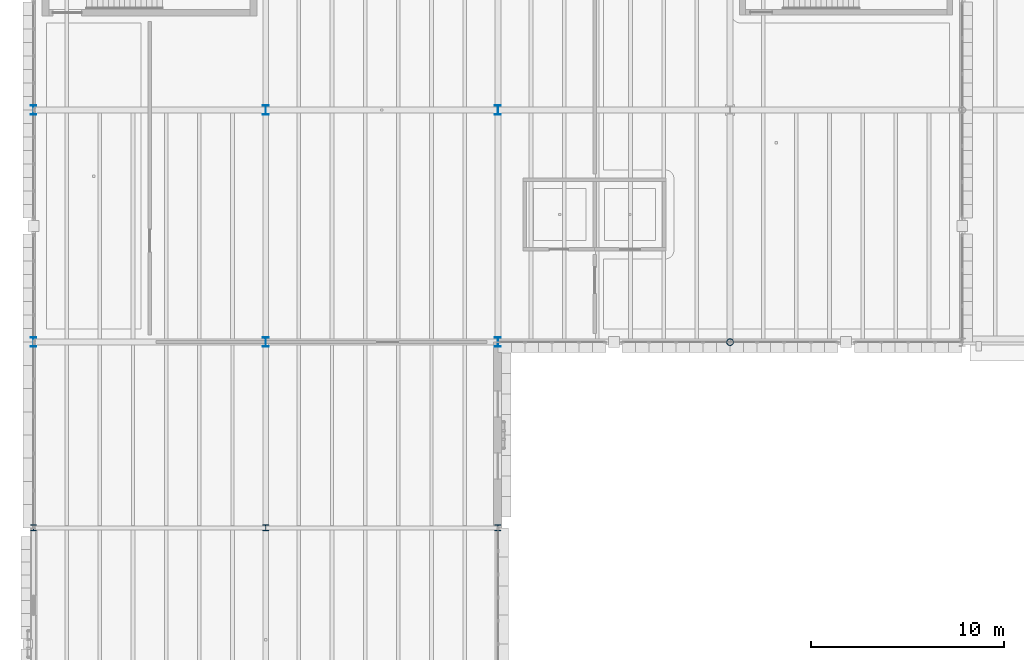
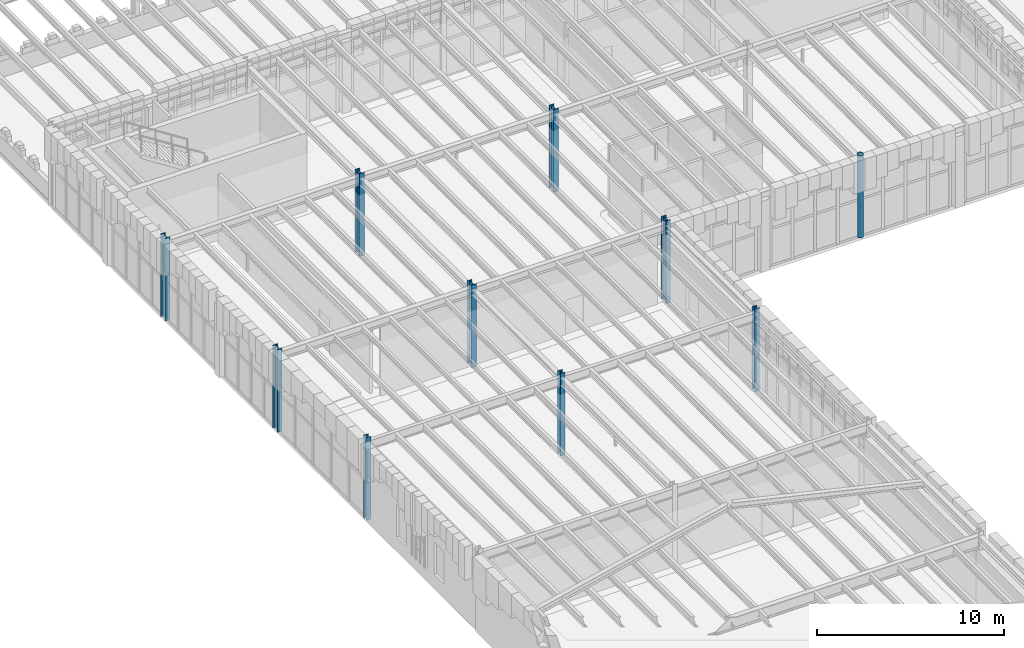
# One storey, part 4 of 100: 10 columns.
"""IFC4 building model written with IfcOpenShell, lengths in metres."""

from ifc_helpers import new_model, si_unit, direction, frame, origin, origin_2d, place, context, subcontext, project, spatial, hollow_circle, i_section, extrude, material, material_profile, profile_set, type_object, element, save


model = new_model("IFC4")

# Units and contexts
model_context = context("Model", 3, precision=1e-05, world=origin(), true_north=direction((0.0, 1.0)))
body_context = subcontext(model_context, "Body", "Model", "MODEL_VIEW")
ifc_project = project(units=[si_unit("LENGTHUNIT", "METRE"), si_unit("AREAUNIT", "SQUARE_METRE"), si_unit("VOLUMEUNIT", "CUBIC_METRE"), si_unit("PLANEANGLEUNIT", "RADIAN"), si_unit("MASSUNIT", "GRAM", prefix="KILO")], contexts=[model_context])

# Site, building, storey
site_placement = place(None, origin())
site = spatial("IfcSite", under=ifc_project, at=site_placement, CompositionType="ELEMENT")
building_placement = place(site_placement, origin())
building = spatial("IfcBuilding", under=site, at=building_placement, Name="Zlatogorsky Bluff Art Gallery", CompositionType="ELEMENT")
storey_placement = place(building_placement, frame((0.0, 0.0, 5.39990234375)))
storey = spatial("IfcBuildingStorey", under=building, at=storey_placement, Name="L01", CompositionType="ELEMENT", Elevation=5.39990234375)

# Columns
ifc_material = material(Name="Steel S355", Category="steel")
ifc_material_profile_1 = material_profile(ifc_material, i_section(OverallWidth=0.300048828125, OverallDepth=0.5, WebThickness=0.014404296875, FlangeThickness=0.028076171875, FilletRadius=0.027099609375, at=origin_2d()), Name="HEB 500")
ifc_profile_set_1 = profile_set([ifc_material_profile_1], Name="Steel S355")
column_type_1 = type_object("IfcColumnType", Name="Column CL-02 HEB 500", PredefinedType="COLUMN", material=ifc_profile_set_1)
for number, where, z_axis, x_axis, name in (
    (1, (0.0, 84.0, 0.0), (0.0, 0.0, 1.0), (1.0, 0.0, 0.0), "Column CL-02 L01 A9"),
    (2, (0.0, 96.0, 0.0), (0.0, 0.0, 1.0), (1.0, 0.0, 0.0), "Column CL-02 L01 A10"),
    (3, (12.0, 84.0, 0.0), (0.0, 0.0, 1.0), (1.0, 0.0, 0.0), "Column CL-02 L01 B9"),
    (4, (12.0, 96.0, 0.0), (0.0, 0.0, 1.0), (1.0, 0.0, 0.0), "Column CL-02 L01 B10"),
    (5, (24.0, 84.0, 0.0), (0.0, 0.0, 1.0), (1.0, 0.0, 0.0), "Column CL-02 L01 C9"),
    (6, (24.0, 96.0, 0.0), (0.0, 0.0, 1.0), (1.0, 0.0, 0.0), "Column CL-02 L01 C10"),
):
    element("IfcColumn", number, at=place(storey_placement, frame(where, z_axis=z_axis, x_axis=x_axis)), inside=storey, type_object=column_type_1, Name=name, PredefinedType="COLUMN", context=body_context, shape_type="SweptSolid", body=[
        extrude(i_section(OverallWidth=0.300048828125, OverallDepth=0.5, WebThickness=0.014404296875, FlangeThickness=0.028076171875, FilletRadius=0.027099609375, at=origin_2d()), origin(), (0.0, 0.0, 1.0), 5.400146484375),
    ])
ifc_material_profile_2 = material_profile(ifc_material, i_section(OverallWidth=0.300048828125, OverallDepth=0.300048828125, WebThickness=0.010986328125, FlangeThickness=0.01904296875, FilletRadius=0.027099609375, at=origin_2d()), Name="HEB 300")
ifc_profile_set_2 = profile_set([ifc_material_profile_2], Name="Steel S355")
column_type_2 = type_object("IfcColumnType", Name="Column CL-06 HEB 300", PredefinedType="COLUMN", material=ifc_profile_set_2)
for number, where, z_axis, x_axis, name in (
    (7, (0.0, 74.39990234375, 0.0), (0.0, 0.0, 1.0), (1.0, 0.0, 0.0), "Column CL-06 L01 A8"),
    (8, (12.0, 74.39990234375, 0.0), (0.0, 0.0, 1.0), (1.0, 0.0, 0.0), "Column CL-06 L01 B8"),
    (9, (24.0, 74.39990234375, 0.0), (0.0, 0.0, 1.0), (1.0, 0.0, 0.0), "Column CL-06 L01 C8"),
):
    element("IfcColumn", number, at=place(storey_placement, frame(where, z_axis=z_axis, x_axis=x_axis)), inside=storey, type_object=column_type_2, Name=name, PredefinedType="COLUMN", context=body_context, shape_type="SweptSolid", body=[
        extrude(i_section(OverallWidth=0.300048828125, OverallDepth=0.300048828125, WebThickness=0.010986328125, FlangeThickness=0.01904296875, FilletRadius=0.027099609375, at=origin_2d()), origin(), (0.0, 0.0, 1.0), 5.400146484375),
    ])
ifc_material_profile_3 = material_profile(ifc_material, hollow_circle(Radius=0.177734375, WallThickness=0.01611328125, at=origin_2d()), Name="CHS 355.6x16")
ifc_profile_set_3 = profile_set([ifc_material_profile_3], Name="Steel S355")
column_type_3 = type_object("IfcColumnType", Name="Column CL-10 CHS 355.6x16", PredefinedType="COLUMN", material=ifc_profile_set_3)
column_placement = place(storey_placement, frame((36.0, 84.0, 0.0), z_axis=(0.0, 0.0, 1.0), x_axis=(1.0, 0.0, 0.0)))
element("IfcColumn", 10, at=column_placement, inside=storey, type_object=column_type_3, Name="Column CL-10 L01 D9", PredefinedType="COLUMN", context=body_context, shape_type="SweptSolid", body=[
    extrude(hollow_circle(Radius=0.177734375, WallThickness=0.01611328125, at=origin_2d()), origin(), (0.0, 0.0, 1.0), 5.400146484375),
])

save(model, "model.ifc")
